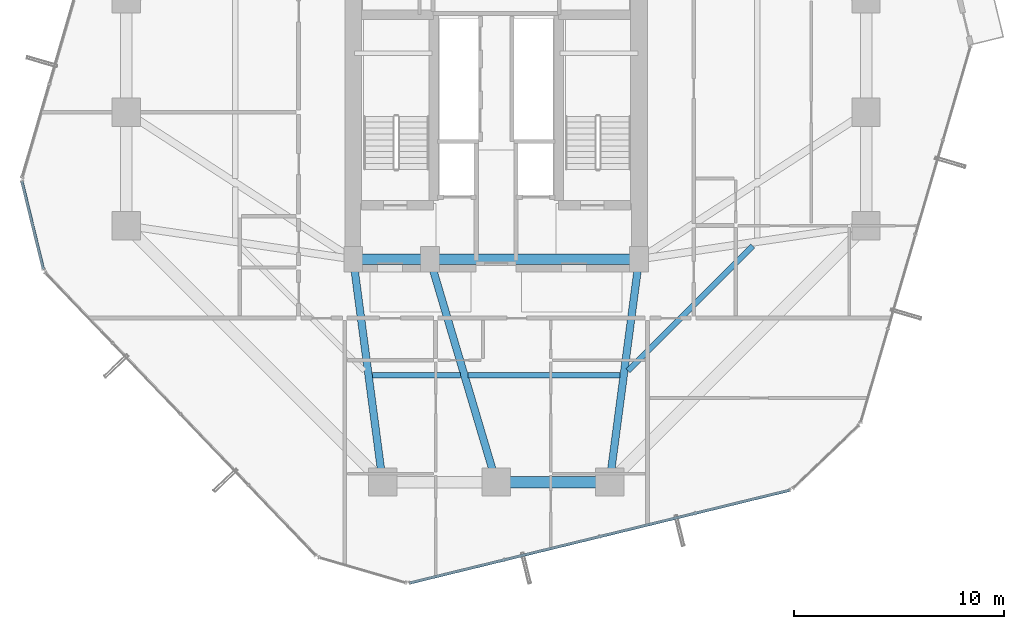
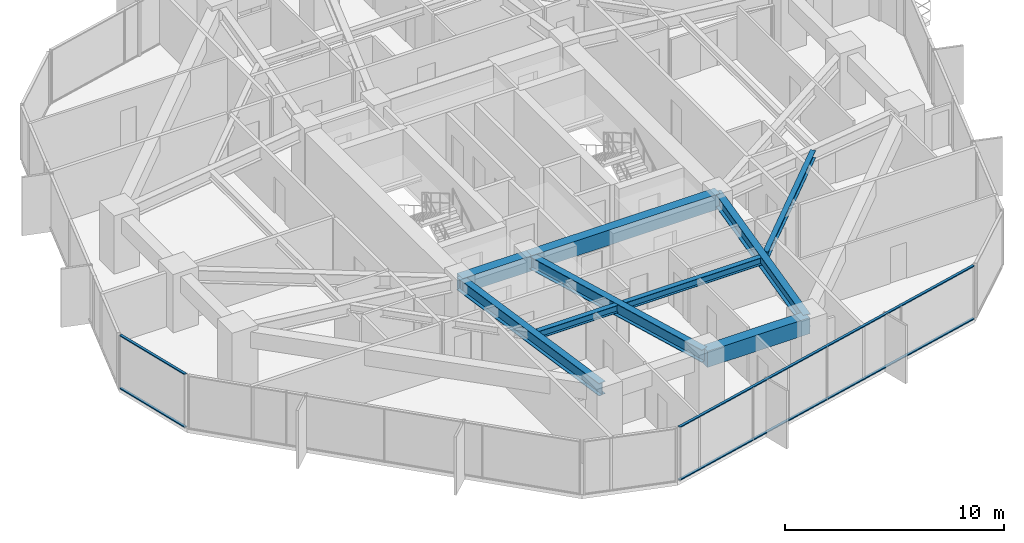
# One storey, part 7 of 37: 9 beams, 4 members, 2 elements without a shape of their own.
"""IFC4 building model written with IfcOpenShell, lengths in metres."""

from ifc_helpers import new_model, si_unit, direction, frame, origin, origin_2d, place, context, subcontext, project, spatial, rectangle, hollow_rectangle, i_section, extrude, source, transform, mapped, material, layer, layer_set, material_profile, profile_set, type_object, element, aggregate, save


model = new_model("IFC4")

# Units and contexts
model_context = context("Model", 3, precision=1e-05, world=origin(), true_north=direction((0.0, 1.0)))
body_context = subcontext(model_context, "Body", "Model", "MODEL_VIEW")
ifc_project = project(units=[si_unit("LENGTHUNIT", "METRE"), si_unit("AREAUNIT", "SQUARE_METRE"), si_unit("VOLUMEUNIT", "CUBIC_METRE"), si_unit("PLANEANGLEUNIT", "RADIAN"), si_unit("MASSUNIT", "GRAM", prefix="KILO")], contexts=[model_context])

# Site, building, storey
site_placement = place(None, origin())
site = spatial("IfcSite", under=ifc_project, at=site_placement, CompositionType="ELEMENT")
building_placement = place(site_placement, origin())
building = spatial("IfcBuilding", under=site, at=building_placement, Name="Veraguas Prism Commons", CompositionType="ELEMENT")
storey_placement = place(building_placement, frame((0.0, 0.0, 70.60009765625)))
storey = spatial("IfcBuildingStorey", under=building, at=storey_placement, Name="L19", CompositionType="ELEMENT", Elevation=70.60009765625)

# Beams
ifc_material_1 = material(Name="Concrete C50/60", Category="concrete")
ifc_material_profile_1 = material_profile(ifc_material_1, rectangle(XDim=0.5, YDim=0.85009765625, at=origin_2d()), Name="RC500X850")
ifc_profile_set_1 = profile_set([ifc_material_profile_1], Name="Concrete C50/60")
beam_type_1 = type_object("IfcBeamType", Name="Core Coupling Beam RC 500x850", PredefinedType="BEAM", material=ifc_profile_set_1)
beam_1_placement = place(storey_placement, frame((17.199951171875, 17.0, 2.574951171875), z_axis=(1.0, 0.0, 0.0), x_axis=(0.0, 1.0, 0.0)))
element("IfcBeam", 1, at=beam_1_placement, inside=storey, type_object=beam_type_1, Name="Core Coupling Beam L19-CRS1", PredefinedType="BEAM", context=body_context, shape_type="SweptSolid", body=[
    extrude(rectangle(XDim=0.5, YDim=0.85009765625, at=origin_2d()), origin(), (0.0, 0.0, 1.0), 3.650146484375),
])
beam_2_placement = place(storey_placement, frame((20.85009765625, 17.0, 2.574951171875), z_axis=(1.0, 0.0, 0.0), x_axis=(0.0, 1.0, 0.0)))
element("IfcBeam", 2, at=beam_2_placement, inside=storey, type_object=beam_type_1, Name="Core Coupling Beam L19-CRS2", PredefinedType="BEAM", context=body_context, shape_type="SweptSolid", body=[
    extrude(rectangle(XDim=0.5, YDim=0.85009765625, at=origin_2d()), origin(), (0.0, 0.0, 1.0), 9.949951171875),
])
ifc_material_2 = material(Name="Steel ASTM A992 Grade 50", Category="steel")
ifc_material_profile_2 = material_profile(ifc_material_2, i_section(OverallWidth=0.260986328125, OverallDepth=0.419921875, WebThickness=0.01171875, FlangeThickness=0.019287109375, at=origin_2d()), Name="W410X114")
ifc_profile_set_2 = profile_set([ifc_material_profile_2], Name="Steel ASTM A992 Grade 50")
beam_type_2 = type_object("IfcBeamType", Name="Lower Floor Joist W410x114", PredefinedType="JOIST", material=ifc_profile_set_2)
beam_3_placement = place(storey_placement, frame((18.10546875, 11.488037109375, 2.789794921875), z_axis=(1.0, 0.0, 0.0), x_axis=(0.0, 1.0, 0.0)))
element("IfcBeam", 3, at=beam_3_placement, inside=storey, type_object=beam_type_2, Name="Composite Floor Joist L19-JS10", PredefinedType="JOIST", context=body_context, shape_type="SweptSolid", body=[
    extrude(i_section(OverallWidth=0.260986328125, OverallDepth=0.419921875, WebThickness=0.01171875, FlangeThickness=0.019287109375, at=origin_2d()), origin(), (0.0, 0.0, 1.0), 4.198974609375),
])
beam_4_placement = place(storey_placement, frame((22.671630859375, 11.488037109375, 2.789794921875), z_axis=(1.0, 0.0, 0.0), x_axis=(0.0, 1.0, 0.0)))
element("IfcBeam", 4, at=beam_4_placement, inside=storey, type_object=beam_type_2, Name="Composite Floor Joist L19-JS11", PredefinedType="JOIST", context=body_context, shape_type="SweptSolid", body=[
    extrude(i_section(OverallWidth=0.260986328125, OverallDepth=0.419921875, WebThickness=0.01171875, FlangeThickness=0.019287109375, at=origin_2d()), origin(), (0.0, 0.0, 1.0), 7.222900390625),
])
beam_5_placement = place(storey_placement, frame((30.276611328125, 11.6923828125, 2.789794921875), z_axis=(0.707092226423, 0.70712133565, 0.0), x_axis=(-0.70712133565, 0.707092226423, 0.0)))
element("IfcBeam", 5, at=beam_5_placement, inside=storey, type_object=beam_type_2, Name="Composite Floor Joist L19-JS12", PredefinedType="JOIST", context=body_context, shape_type="SweptSolid", body=[
    extrude(i_section(OverallWidth=0.260986328125, OverallDepth=0.419921875, WebThickness=0.01171875, FlangeThickness=0.019287109375, at=origin_2d()), origin(), (0.0, 0.0, 1.0), 8.386962890625),
])
ifc_material_profile_3 = material_profile(ifc_material_1, rectangle(XDim=0.550048828125, YDim=0.89990234375, at=origin_2d()), Name="RC550X900")
ifc_profile_set_3 = profile_set([ifc_material_profile_3], Name="Concrete C50/60")
beam_type_3 = type_object("IfcBeamType", Name="Perimeter Spandrel Lower RC 550x900", PredefinedType="SPANDREL", material=ifc_profile_set_3)
beam_6_placement = place(storey_placement, frame((24.0, 6.39990234375, 2.5498046875), z_axis=(1.0, 0.0, 0.0), x_axis=(0.0, 1.0, 0.0)))
element("IfcBeam", 6, at=beam_6_placement, inside=storey, type_object=beam_type_3, Name="Perimeter Spandrel Beam L19-SP11", PredefinedType="SPANDREL", context=body_context, shape_type="SweptSolid", body=[
    extrude(rectangle(XDim=0.550048828125, YDim=0.89990234375, at=origin_2d()), origin(), (0.0, 0.0, 1.0), 5.39990234375),
])
ifc_material_profile_4 = material_profile(ifc_material_2, i_section(OverallWidth=0.35595703125, OverallDepth=0.700927734375, WebThickness=0.016845703125, FlangeThickness=0.02734375, at=origin_2d()), Name="W690X240")
ifc_profile_set_4 = profile_set([ifc_material_profile_4], Name="Steel ASTM A992 Grade 50")
beam_type_4 = type_object("IfcBeamType", Name="Zone 1 Radial Girder W690x240", PredefinedType="BEAM", material=ifc_profile_set_4)
beam_7_placement = place(storey_placement, frame((18.60009765625, 6.39990234375, 2.6494140625), z_axis=(-0.130950648891, 0.991388888154, 0.0), x_axis=(-0.991388888154, -0.130950648891, 0.0)))
element("IfcBeam", 7, at=beam_7_placement, inside=storey, type_object=beam_type_4, Name="Radial Floor Girder L19-RD10", PredefinedType="BEAM", context=body_context, shape_type="SweptSolid", body=[
    extrude(i_section(OverallWidth=0.35595703125, OverallDepth=0.700927734375, WebThickness=0.016845703125, FlangeThickness=0.02734375, at=origin_2d()), origin(), (0.0, 0.0, 1.0), 10.692138671875),
])
beam_8_placement = place(storey_placement, frame((24.0, 6.39990234375, 2.6494140625), z_axis=(-0.28484745997, 0.958572858237, 0.0), x_axis=(-0.958572858237, -0.28484745997, 0.0)))
element("IfcBeam", 8, at=beam_8_placement, inside=storey, type_object=beam_type_4, Name="Radial Floor Girder L19-RD11", PredefinedType="BEAM", context=body_context, shape_type="SweptSolid", body=[
    extrude(i_section(OverallWidth=0.35595703125, OverallDepth=0.700927734375, WebThickness=0.016845703125, FlangeThickness=0.02734375, at=origin_2d()), origin(), (0.0, 0.0, 1.0), 11.05810546875),
])
beam_9_placement = place(storey_placement, frame((29.39990234375, 6.39990234375, 2.6494140625), z_axis=(0.130950648891, 0.991388888154, 0.0), x_axis=(-0.991388888154, 0.130950648891, 0.0)))
element("IfcBeam", 9, at=beam_9_placement, inside=storey, type_object=beam_type_4, Name="Radial Floor Girder L19-RD12", PredefinedType="BEAM", context=body_context, shape_type="SweptSolid", body=[
    extrude(i_section(OverallWidth=0.35595703125, OverallDepth=0.700927734375, WebThickness=0.016845703125, FlangeThickness=0.02734375, at=origin_2d()), origin(), (0.0, 0.0, 1.0), 10.692138671875),
])

# Curtain wall, members
ifc_material_3 = material(Name="Anodised aluminium EN AW-6063 T6", Category="aluminium")
ifc_layer = layer(ifc_material_3, 0.169921875, Name="Unitised Flush Curtain Wall Zone 1", Category="aluminium")
ifc_layer_set = layer_set([ifc_layer], Name="Anodised aluminium EN AW-6063 T6")
curtain_wall_type = type_object("IfcCurtainWallType", Name="Unitised Flush Curtain Wall Zone 1", PredefinedType="NOTDEFINED", material=ifc_layer_set)
curtain_wall_1_placement = place(storey_placement, origin())
curtain_wall_1 = element("IfcCurtainWall", 10, at=curtain_wall_1_placement, inside=storey, type_object=curtain_wall_type, Name="Tower Facade Curtain Wall L19-F5", PredefinedType="NOTDEFINED")
ifc_material_profile_5 = material_profile(ifc_material_3, hollow_rectangle(XDim=0.054931640625, YDim=0.135009765625, WallThickness=0.0029296875, at=origin_2d()), Name="AL55X135X3")
ifc_profile_set_5 = profile_set([ifc_material_profile_5], Name="Anodised aluminium EN AW-6063 T6")
member_type = type_object("IfcMemberType", Name="Curtain Wall Transom Standard AL 55x135x3", PredefinedType="USERDEFINED", material=ifc_profile_set_5)
shared_shape_1 = source(origin(), body_context, "Body", "SweptSolid", [
    extrude(hollow_rectangle(XDim=0.054931640625, YDim=0.135009765625, WallThickness=0.0029296875, at=origin_2d()), origin(), (0.0, 0.0, 1.0), 18.623779296875),
])
member_1_placement = place(storey_placement, frame((19.883544921875, 1.599853515625, 0.02734375), z_axis=(0.971464887323, 0.237183415733, 0.0), x_axis=(0.0, 0.0, 1.0)))
member_1 = element("IfcMember", 11, at=member_1_placement, type_object=member_type, Name="CW-Z1 Transom 1", ObjectType="TRANSOM", PredefinedType="USERDEFINED", context=body_context, shape_type="MappedRepresentation", body=[
    mapped(shared_shape_1, transform((0.0, 0.0, 0.0), scale=1.0)),
])
member_2_placement = place(storey_placement, frame((19.883544921875, 1.599853515625, 2.972412109375), z_axis=(0.971464887323, 0.237183415733, 0.0), x_axis=(0.0, 0.0, 1.0)))
member_2 = element("IfcMember", 12, at=member_2_placement, type_object=member_type, Name="CW-Z1 Transom 2", ObjectType="TRANSOM", PredefinedType="USERDEFINED", context=body_context, shape_type="MappedRepresentation", body=[
    mapped(shared_shape_1, transform((0.0, 0.0, 0.0), scale=1.0)),
])
aggregate(curtain_wall_1, [member_1, member_2])

curtain_wall_2_placement = place(storey_placement, origin())
curtain_wall_2 = element("IfcCurtainWall", 13, at=curtain_wall_2_placement, inside=storey, type_object=curtain_wall_type, Name="Chamfer Curtain Wall L19-C4", PredefinedType="NOTDEFINED")
shared_shape_2 = source(origin(), body_context, "Body", "SweptSolid", [
    extrude(hollow_rectangle(XDim=0.054931640625, YDim=0.135009765625, WallThickness=0.0029296875, at=origin_2d()), origin(), (0.0, 0.0, 1.0), 4.320068359375),
])
member_3_placement = place(storey_placement, frame((1.434326171875, 20.714111328125, 0.02734375), z_axis=(0.23718644711, -0.971464147206, 0.0), x_axis=(0.0, 0.0, 1.0)))
member_3 = element("IfcMember", 14, at=member_3_placement, type_object=member_type, Name="CW-Z1 Transom 1", ObjectType="TRANSOM", PredefinedType="USERDEFINED", context=body_context, shape_type="MappedRepresentation", body=[
    mapped(shared_shape_2, transform((0.0, 0.0, 0.0), scale=1.0)),
])
member_4_placement = place(storey_placement, frame((1.434326171875, 20.714111328125, 2.972412109375), z_axis=(0.23718644711, -0.971464147206, 0.0), x_axis=(0.0, 0.0, 1.0)))
member_4 = element("IfcMember", 15, at=member_4_placement, type_object=member_type, Name="CW-Z1 Transom 2", ObjectType="TRANSOM", PredefinedType="USERDEFINED", context=body_context, shape_type="MappedRepresentation", body=[
    mapped(shared_shape_2, transform((0.0, 0.0, 0.0), scale=1.0)),
])
aggregate(curtain_wall_2, [member_3, member_4])

save(model, "model.ifc")
